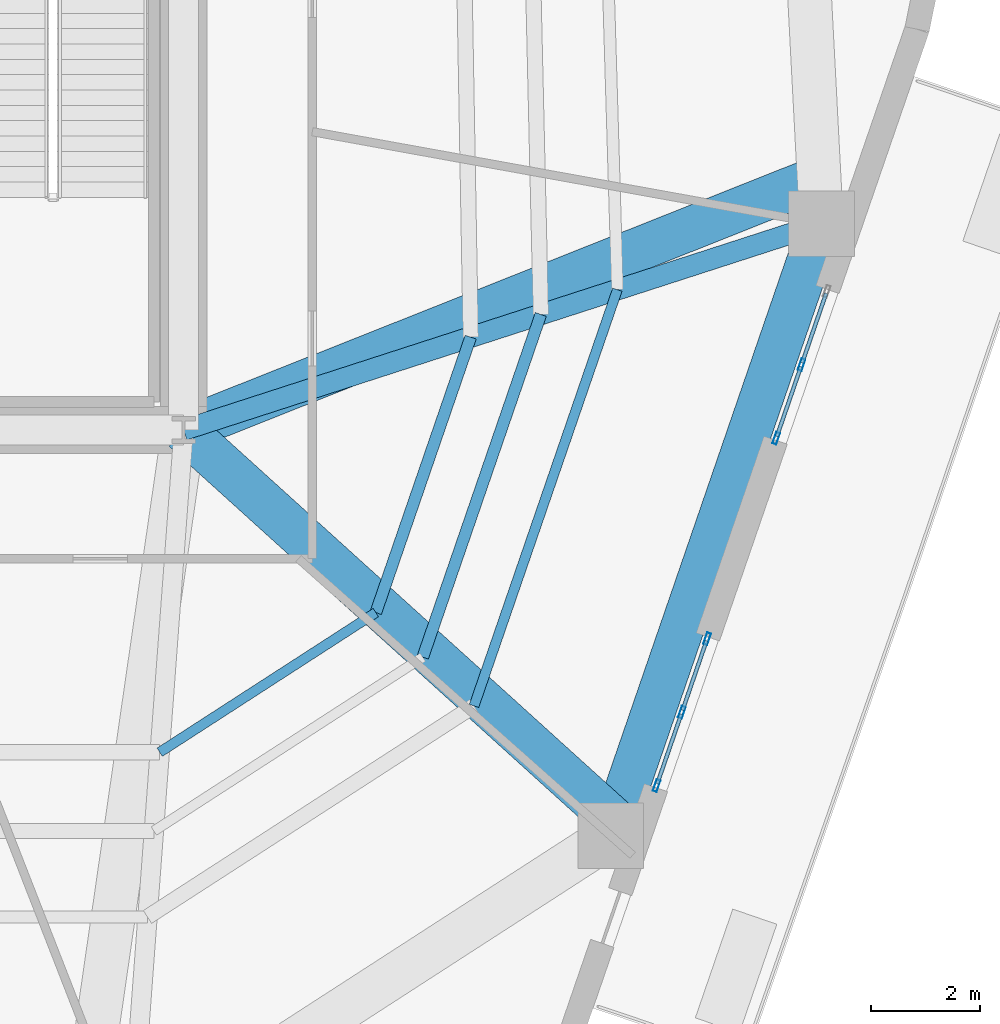
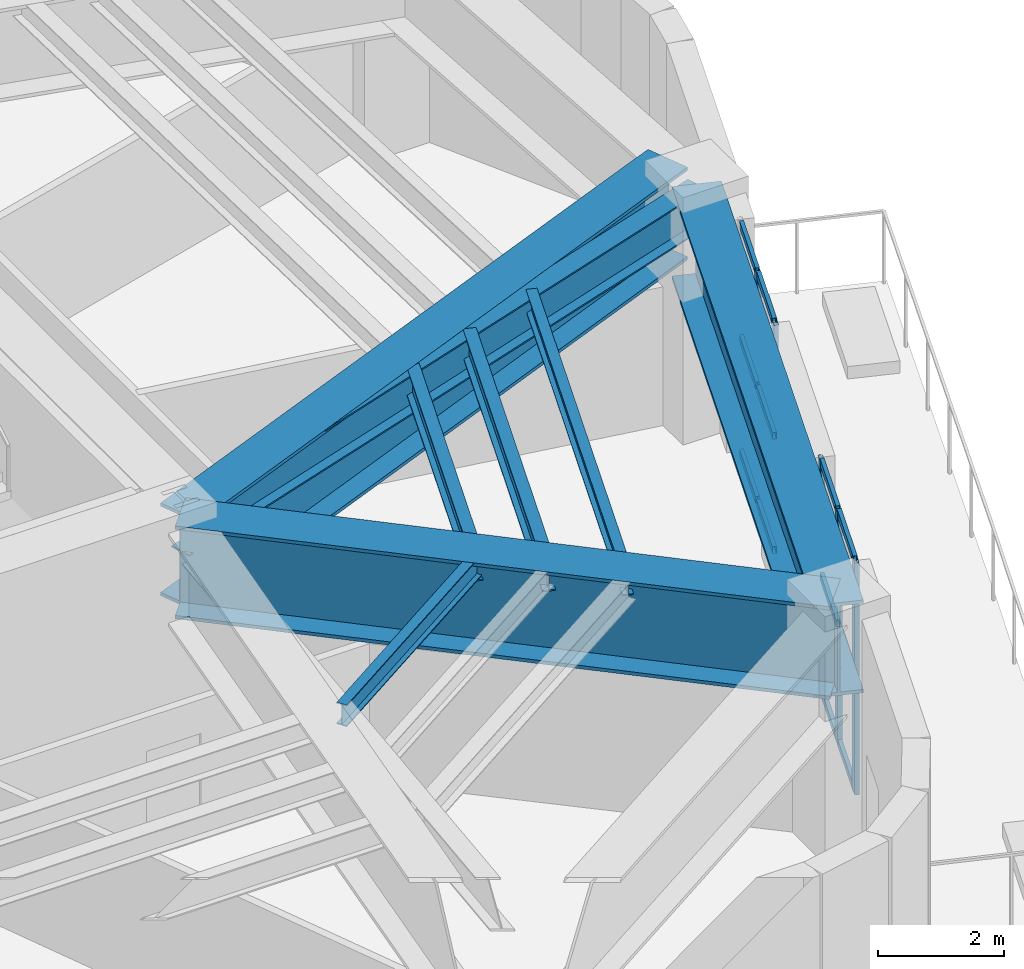
# One storey, part 8 of 22: 17 members, 8 beams, 2 elements without a shape of their own.
"""IFC4 building model written with IfcOpenShell, lengths in metres."""

from ifc_helpers import new_model, si_unit, direction, frame, origin, origin_2d, place, context, subcontext, project, spatial, hollow_rectangle, i_section, extrude, material, layer, layer_set, material_profile, profile_set, type_object, element, aggregate, save


model = new_model("IFC4")

# Units and contexts
model_context = context("Model", 3, precision=1e-05, world=origin(), true_north=direction((0.0, 1.0)))
body_context = subcontext(model_context, "Body", "Model", "MODEL_VIEW")
ifc_project = project(units=[si_unit("LENGTHUNIT", "METRE"), si_unit("AREAUNIT", "SQUARE_METRE"), si_unit("VOLUMEUNIT", "CUBIC_METRE"), si_unit("PLANEANGLEUNIT", "RADIAN"), si_unit("MASSUNIT", "GRAM", prefix="KILO")], contexts=[model_context])

# Site, building, storey
site_placement = place(None, origin())
site = spatial("IfcSite", under=ifc_project, at=site_placement, CompositionType="ELEMENT")
building_placement = place(site_placement, origin())
building = spatial("IfcBuilding", under=site, at=building_placement, Name="Kilnhurst Terrace Hotel", CompositionType="ELEMENT")
storey_placement = place(building_placement, frame((0.0, 0.0, 139.5)))
storey = spatial("IfcBuildingStorey", under=building, at=storey_placement, Name="L34", CompositionType="ELEMENT", Elevation=139.5)

# Beams
ifc_material_1 = material(Name="Steel ASTM A992 Grade 50", Category="steel")
ifc_material_profile_1 = material_profile(ifc_material_1, i_section(OverallWidth=0.380615234375, OverallDepth=0.773193359375, WebThickness=0.0166015625, FlangeThickness=0.027099609375, at=origin_2d()), Name="W30X173")
ifc_profile_set_1 = profile_set([ifc_material_profile_1], Name="Steel ASTM A992 Grade 50")
beam_type_1 = type_object("IfcBeamType", Name="BM-STL-W30X173", PredefinedType="BEAM", material=ifc_profile_set_1)
beam_1_placement = place(storey_placement, frame((9.0, -7.5, 4.113037109375), z_axis=(0.951445549065, 0.307817100182, 0.0), x_axis=(-0.307817100182, 0.951445549065, 0.0)))
element("IfcBeam", 1, at=beam_1_placement, inside=storey, type_object=beam_type_1, Name="L34 Radial Floor Beam 4", PredefinedType="BEAM", context=body_context, shape_type="SweptSolid", body=[
    extrude(i_section(OverallWidth=0.380615234375, OverallDepth=0.773193359375, WebThickness=0.0166015625, FlangeThickness=0.027099609375, at=origin_2d()), origin(), (0.0, 0.0, 1.0), 12.244384765625),
])
ifc_material_profile_2 = material_profile(ifc_material_1, i_section(OverallWidth=0.180908203125, OverallDepth=0.417236328125, WebThickness=0.010986328125, FlangeThickness=0.018310546875, at=origin_2d()), Name="W16X57")
ifc_profile_set_2 = profile_set([ifc_material_profile_2], Name="Steel ASTM A992 Grade 50")
beam_type_2 = type_object("IfcBeamType", Name="JST-STL-W16X57", PredefinedType="JOIST", material=ifc_profile_set_2)
beam_2_placement = place(storey_placement, frame((14.303955078125, -12.53955078125, 4.291015625), z_axis=(0.325612620381, 0.945503263584, 0.0), x_axis=(-0.945503263584, 0.325612620381, 0.0)))
element("IfcBeam", 2, at=beam_2_placement, inside=storey, type_object=beam_type_2, Name="L34 Secondary Floor Steel Joist OUT.3", PredefinedType="JOIST", context=body_context, shape_type="SweptSolid", body=[
    extrude(i_section(OverallWidth=0.180908203125, OverallDepth=0.417236328125, WebThickness=0.010986328125, FlangeThickness=0.018310546875, at=origin_2d()), origin(), (0.0, 0.0, 1.0), 8.040771484375),
])
beam_3_placement = place(storey_placement, frame((8.5625, -13.385986328125, 4.291015625), z_axis=(0.839884974974, 0.542764432155, 0.0), x_axis=(-0.542764432155, 0.839884974974, 0.0)))
element("IfcBeam", 3, at=beam_3_placement, inside=storey, type_object=beam_type_2, Name="L34 Secondary Floor Steel Joist IN.2", PredefinedType="JOIST", context=body_context, shape_type="SweptSolid", body=[
    extrude(i_section(OverallWidth=0.180908203125, OverallDepth=0.417236328125, WebThickness=0.010986328125, FlangeThickness=0.018310546875, at=origin_2d()), origin(), (0.0, 0.0, 1.0), 4.699951171875),
])
ifc_material_profile_3 = material_profile(ifc_material_1, i_section(OverallWidth=0.2138671875, OverallDepth=0.549072265625, WebThickness=0.0146484375, FlangeThickness=0.023681640625, at=origin_2d()), Name="W21X93")
ifc_profile_set_3 = profile_set([ifc_material_profile_3], Name="Steel ASTM A992 Grade 50")
beam_type_3 = type_object("IfcBeamType", Name="JST-STL-W21X93", PredefinedType="JOIST", material=ifc_profile_set_3)
beam_4_placement = place(storey_placement, frame((12.510009765625, -10.8349609375, 4.22509765625), z_axis=(0.325586238877, 0.945512348441, 0.0), x_axis=(-0.945512348441, 0.325586238877, 0.0)))
element("IfcBeam", 4, at=beam_4_placement, inside=storey, type_object=beam_type_3, Name="L34 Secondary Floor Steel Joist IN.3", PredefinedType="JOIST", context=body_context, shape_type="SweptSolid", body=[
    extrude(i_section(OverallWidth=0.2138671875, OverallDepth=0.549072265625, WebThickness=0.0146484375, FlangeThickness=0.023681640625, at=origin_2d()), origin(), (0.0, 0.0, 1.0), 5.321044921875),
])
beam_5_placement = place(storey_placement, frame((13.367919921875, -11.650146484375, 4.22509765625), z_axis=(0.32560318288, 0.94550651362, 0.0), x_axis=(-0.94550651362, 0.32560318288, 0.0)))
element("IfcBeam", 5, at=beam_5_placement, inside=storey, type_object=beam_type_3, Name="L34 Secondary Floor Steel Joist MID.3", PredefinedType="JOIST", context=body_context, shape_type="SweptSolid", body=[
    extrude(i_section(OverallWidth=0.2138671875, OverallDepth=0.549072265625, WebThickness=0.0146484375, FlangeThickness=0.023681640625, at=origin_2d()), origin(), (0.0, 0.0, 1.0), 6.62158203125),
])

# Curtain wall, members
ifc_material_2 = material(Name="Anodized Aluminium Alloy 6063-T6 and Low-E Glass", Category="aluminium")
ifc_layer = layer(ifc_material_2, 0.219970703125, Name="Anodized Aluminium Alloy 6063-T6 and Low-E Glass")
ifc_layer_set = layer_set([ifc_layer], Name="Anodized Aluminium Alloy 6063-T6 and Low-E Glass")
curtain_wall_type = type_object("IfcCurtainWallType", Name="CW-SKY-L34", PredefinedType="NOTDEFINED", material=ifc_layer_set)
curtain_wall_1_placement = place(storey_placement, origin())
curtain_wall_1 = element("IfcCurtainWall", 6, at=curtain_wall_1_placement, inside=storey, type_object=curtain_wall_type, Name="L34 Curtain Wall CW-L34-F2-1", PredefinedType="NOTDEFINED")
ifc_material_3 = material(Name="Extruded Aluminium Alloy 6063-T6", Category="aluminium")
ifc_material_profile_4 = material_profile(ifc_material_3, hollow_rectangle(XDim=0.074951171875, YDim=0.219970703125, WallThickness=0.00390625, at=origin_2d()), Name="CWM75X220")
ifc_profile_set_4 = profile_set([ifc_material_profile_4], Name="Extruded Aluminium Alloy 6063-T6")
member_type_1 = type_object("IfcMemberType", Name="MEM-CWM75X220", PredefinedType="MULLION", material=ifc_profile_set_4)
member_1_placement = place(storey_placement, frame((17.638671875, -13.996826171875, 0.0), z_axis=(0.0, 0.0, 1.0), x_axis=(-0.94551193854, 0.32558742924, 0.0)))
member_1 = element("IfcMember", 7, at=member_1_placement, type_object=member_type_1, Name="CWS-3 mullion 1", PredefinedType="MULLION", context=body_context, shape_type="SweptSolid", body=[
    extrude(hollow_rectangle(XDim=0.074951171875, YDim=0.219970703125, WallThickness=0.00390625, at=origin_2d()), origin(), (0.0, 0.0, 1.0), 4.5),
])
member_2_placement = place(storey_placement, frame((18.100341796875, -12.65576171875, 0.0), z_axis=(0.0, 0.0, 1.0), x_axis=(-0.94551193854, 0.32558742924, 0.0)))
member_2 = element("IfcMember", 8, at=member_2_placement, type_object=member_type_1, Name="CWS-3 mullion 2", PredefinedType="MULLION", context=body_context, shape_type="SweptSolid", body=[
    extrude(hollow_rectangle(XDim=0.074951171875, YDim=0.219970703125, WallThickness=0.00390625, at=origin_2d()), origin(), (0.0, 0.0, 1.0), 4.5),
])
member_3_placement = place(storey_placement, frame((18.562255859375, -11.314453125, 0.0), z_axis=(0.0, 0.0, 1.0), x_axis=(-0.94551193854, 0.32558742924, 0.0)))
member_3 = element("IfcMember", 9, at=member_3_placement, type_object=member_type_1, Name="CWS-3 mullion 3", PredefinedType="MULLION", context=body_context, shape_type="SweptSolid", body=[
    extrude(hollow_rectangle(XDim=0.074951171875, YDim=0.219970703125, WallThickness=0.00390625, at=origin_2d()), origin(), (0.0, 0.0, 1.0), 4.5),
])

curtain_wall_2_placement = place(storey_placement, origin())
curtain_wall_2 = element("IfcCurtainWall", 10, at=curtain_wall_2_placement, inside=storey, type_object=curtain_wall_type, Name="L34 Curtain Wall CW-L34-F2-2", PredefinedType="NOTDEFINED")
member_4_placement = place(storey_placement, frame((19.823974609375, -7.650634765625, 0.0), z_axis=(0.0, 0.0, 1.0), x_axis=(-0.94551193854, 0.32558742924, 0.0)))
member_4 = element("IfcMember", 11, at=member_4_placement, type_object=member_type_1, Name="CWS-3 mullion 1", PredefinedType="MULLION", context=body_context, shape_type="SweptSolid", body=[
    extrude(hollow_rectangle(XDim=0.074951171875, YDim=0.219970703125, WallThickness=0.00390625, at=origin_2d()), origin(), (0.0, 0.0, 1.0), 4.5),
])
member_5_placement = place(storey_placement, frame((20.285888671875, -6.3095703125, 0.0), z_axis=(0.0, 0.0, 1.0), x_axis=(-0.94551193854, 0.32558742924, 0.0)))
member_5 = element("IfcMember", 12, at=member_5_placement, type_object=member_type_1, Name="CWS-3 mullion 2", PredefinedType="MULLION", context=body_context, shape_type="SweptSolid", body=[
    extrude(hollow_rectangle(XDim=0.074951171875, YDim=0.219970703125, WallThickness=0.00390625, at=origin_2d()), origin(), (0.0, 0.0, 1.0), 4.5),
])

# Member
ifc_material_profile_5 = material_profile(ifc_material_3, hollow_rectangle(XDim=0.070068359375, YDim=0.135009765625, WallThickness=0.00390625, at=origin_2d()), Name="CWT70X135")
ifc_profile_set_5 = profile_set([ifc_material_profile_5], Name="Extruded Aluminium Alloy 6063-T6")
member_type_2 = type_object("IfcMemberType", Name="MEM-CWT70X135", PredefinedType="USERDEFINED", material=ifc_profile_set_5)
member_6_placement = place(storey_placement, frame((17.65087890625, -13.96142578125, 0.034912109375), z_axis=(0.325480976836, 0.945548588766, 0.0), x_axis=(-0.945548588766, 0.325480976836, 0.0)))
member_6 = element("IfcMember", 13, at=member_6_placement, type_object=member_type_2, Name="CWS-3 transom 1.1", ObjectType="TRANSOM", PredefinedType="USERDEFINED", context=body_context, shape_type="SweptSolid", body=[
    extrude(hollow_rectangle(XDim=0.070068359375, YDim=0.135009765625, WallThickness=0.00390625, at=origin_2d()), origin(), (0.0, 0.0, 1.0), 1.343505859375),
])

member_7_placement = place(storey_placement, frame((17.65087890625, -13.96142578125, 2.25), z_axis=(0.325480976836, 0.945548588766, 0.0), x_axis=(-0.945548588766, 0.325480976836, 0.0)))
member_7 = element("IfcMember", 14, at=member_7_placement, type_object=member_type_2, Name="CWS-3 transom 1.2", ObjectType="TRANSOM", PredefinedType="USERDEFINED", context=body_context, shape_type="SweptSolid", body=[
    extrude(hollow_rectangle(XDim=0.070068359375, YDim=0.135009765625, WallThickness=0.00390625, at=origin_2d()), origin(), (0.0, 0.0, 1.0), 1.343505859375),
])

member_8_placement = place(storey_placement, frame((17.65087890625, -13.96142578125, 4.465087890625), z_axis=(0.325480976836, 0.945548588766, 0.0), x_axis=(-0.945548588766, 0.325480976836, 0.0)))
member_8 = element("IfcMember", 15, at=member_8_placement, type_object=member_type_2, Name="CWS-3 transom 1.3", ObjectType="TRANSOM", PredefinedType="USERDEFINED", context=body_context, shape_type="SweptSolid", body=[
    extrude(hollow_rectangle(XDim=0.070068359375, YDim=0.135009765625, WallThickness=0.00390625, at=origin_2d()), origin(), (0.0, 0.0, 1.0), 1.343505859375),
])

member_9_placement = place(storey_placement, frame((18.112548828125, -12.6201171875, 0.034912109375), z_axis=(0.325643441602, 0.945492648804, 0.0), x_axis=(-0.945492648804, 0.325643441602, 0.0)))
member_9 = element("IfcMember", 16, at=member_9_placement, type_object=member_type_2, Name="CWS-3 transom 2.1", ObjectType="TRANSOM", PredefinedType="USERDEFINED", context=body_context, shape_type="SweptSolid", body=[
    extrude(hollow_rectangle(XDim=0.070068359375, YDim=0.135009765625, WallThickness=0.00390625, at=origin_2d()), origin(), (0.0, 0.0, 1.0), 1.343505859375),
])

member_10_placement = place(storey_placement, frame((18.112548828125, -12.6201171875, 2.25), z_axis=(0.325643441602, 0.945492648804, 0.0), x_axis=(-0.945492648804, 0.325643441602, 0.0)))
member_10 = element("IfcMember", 17, at=member_10_placement, type_object=member_type_2, Name="CWS-3 transom 2.2", ObjectType="TRANSOM", PredefinedType="USERDEFINED", context=body_context, shape_type="SweptSolid", body=[
    extrude(hollow_rectangle(XDim=0.070068359375, YDim=0.135009765625, WallThickness=0.00390625, at=origin_2d()), origin(), (0.0, 0.0, 1.0), 1.343505859375),
])

member_11_placement = place(storey_placement, frame((18.112548828125, -12.6201171875, 4.465087890625), z_axis=(0.325643441602, 0.945492648804, 0.0), x_axis=(-0.945492648804, 0.325643441602, 0.0)))
member_11 = element("IfcMember", 18, at=member_11_placement, type_object=member_type_2, Name="CWS-3 transom 2.3", ObjectType="TRANSOM", PredefinedType="USERDEFINED", context=body_context, shape_type="SweptSolid", body=[
    extrude(hollow_rectangle(XDim=0.070068359375, YDim=0.135009765625, WallThickness=0.00390625, at=origin_2d()), origin(), (0.0, 0.0, 1.0), 1.343505859375),
])

aggregate(curtain_wall_1, [member_1, member_2, member_3, member_6, member_7, member_8, member_9, member_10, member_11])

member_12_placement = place(storey_placement, frame((19.836181640625, -7.615234375, 0.034912109375), z_axis=(0.325643441602, 0.945492648804, 0.0), x_axis=(-0.945492648804, 0.325643441602, 0.0)))
member_12 = element("IfcMember", 19, at=member_12_placement, type_object=member_type_2, Name="CWS-3 transom 1.1", ObjectType="TRANSOM", PredefinedType="USERDEFINED", context=body_context, shape_type="SweptSolid", body=[
    extrude(hollow_rectangle(XDim=0.070068359375, YDim=0.135009765625, WallThickness=0.00390625, at=origin_2d()), origin(), (0.0, 0.0, 1.0), 1.343505859375),
])

member_13_placement = place(storey_placement, frame((19.836181640625, -7.615234375, 2.25), z_axis=(0.325643441602, 0.945492648804, 0.0), x_axis=(-0.945492648804, 0.325643441602, 0.0)))
member_13 = element("IfcMember", 20, at=member_13_placement, type_object=member_type_2, Name="CWS-3 transom 1.2", ObjectType="TRANSOM", PredefinedType="USERDEFINED", context=body_context, shape_type="SweptSolid", body=[
    extrude(hollow_rectangle(XDim=0.070068359375, YDim=0.135009765625, WallThickness=0.00390625, at=origin_2d()), origin(), (0.0, 0.0, 1.0), 1.343505859375),
])

member_14_placement = place(storey_placement, frame((19.836181640625, -7.615234375, 4.465087890625), z_axis=(0.325643441602, 0.945492648804, 0.0), x_axis=(-0.945492648804, 0.325643441602, 0.0)))
member_14 = element("IfcMember", 21, at=member_14_placement, type_object=member_type_2, Name="CWS-3 transom 1.3", ObjectType="TRANSOM", PredefinedType="USERDEFINED", context=body_context, shape_type="SweptSolid", body=[
    extrude(hollow_rectangle(XDim=0.070068359375, YDim=0.135009765625, WallThickness=0.00390625, at=origin_2d()), origin(), (0.0, 0.0, 1.0), 1.343505859375),
])

member_15_placement = place(storey_placement, frame((20.298095703125, -6.27392578125, 0.034912109375), z_axis=(0.325643441602, 0.945492648804, 0.0), x_axis=(-0.945492648804, 0.325643441602, 0.0)))
member_15 = element("IfcMember", 22, at=member_15_placement, type_object=member_type_2, Name="CWS-3 transom 2.1", ObjectType="TRANSOM", PredefinedType="USERDEFINED", context=body_context, shape_type="SweptSolid", body=[
    extrude(hollow_rectangle(XDim=0.070068359375, YDim=0.135009765625, WallThickness=0.00390625, at=origin_2d()), origin(), (0.0, 0.0, 1.0), 1.343505859375),
])

member_16_placement = place(storey_placement, frame((20.298095703125, -6.27392578125, 2.25), z_axis=(0.325643441602, 0.945492648804, 0.0), x_axis=(-0.945492648804, 0.325643441602, 0.0)))
member_16 = element("IfcMember", 23, at=member_16_placement, type_object=member_type_2, Name="CWS-3 transom 2.2", ObjectType="TRANSOM", PredefinedType="USERDEFINED", context=body_context, shape_type="SweptSolid", body=[
    extrude(hollow_rectangle(XDim=0.070068359375, YDim=0.135009765625, WallThickness=0.00390625, at=origin_2d()), origin(), (0.0, 0.0, 1.0), 1.343505859375),
])

member_17_placement = place(storey_placement, frame((20.298095703125, -6.27392578125, 4.465087890625), z_axis=(0.325643441602, 0.945492648804, 0.0), x_axis=(-0.945492648804, 0.325643441602, 0.0)))
member_17 = element("IfcMember", 24, at=member_17_placement, type_object=member_type_2, Name="CWS-3 transom 2.3", ObjectType="TRANSOM", PredefinedType="USERDEFINED", context=body_context, shape_type="SweptSolid", body=[
    extrude(hollow_rectangle(XDim=0.070068359375, YDim=0.135009765625, WallThickness=0.00390625, at=origin_2d()), origin(), (0.0, 0.0, 1.0), 1.343505859375),
])

aggregate(curtain_wall_2, [member_4, member_5, member_12, member_13, member_14, member_15, member_16, member_17])

# Beams
ifc_material_4 = material(Name="Steel ASTM A572 Grade 50", Category="steel")
ifc_material_profile_6 = material_profile(ifc_material_4, i_section(OverallWidth=0.800048828125, OverallDepth=1.800048828125, WebThickness=0.0400390625, FlangeThickness=0.06494140625, at=origin_2d()), Name="PG1800X800")
ifc_profile_set_6 = profile_set([ifc_material_profile_6], Name="Steel ASTM A572 Grade 50")
beam_type_4 = type_object("IfcBeamType", Name="TG-STEP-1800", PredefinedType="USERDEFINED", material=ifc_profile_set_6)
beam_6_placement = place(storey_placement, frame((16.800048828125, -14.910888671875, 3.60009765625), z_axis=(0.325590408593, 0.945510912593, 0.0), x_axis=(-0.945510912593, 0.325590408593, 0.0)))
element("IfcBeam", 25, at=beam_6_placement, inside=storey, type_object=beam_type_4, Name="L34 Zone Step Perimeter Transfer Girder 3", ObjectType="GIRDER", PredefinedType="USERDEFINED", context=body_context, shape_type="SweptSolid", body=[
    extrude(i_section(OverallWidth=0.800048828125, OverallDepth=1.800048828125, WebThickness=0.0400390625, FlangeThickness=0.06494140625, at=origin_2d()), origin(), (0.0, 0.0, 1.0), 11.82421875),
])
beam_7_placement = place(storey_placement, frame((9.0, -7.5, 3.60009765625), z_axis=(0.741324930936, -0.671146293123, 0.0), x_axis=(0.671146293123, 0.741324930936, 0.0)))
element("IfcBeam", 26, at=beam_7_placement, inside=storey, type_object=beam_type_4, Name="L34 Zone Step Radial Transfer Girder 3", ObjectType="GIRDER", PredefinedType="USERDEFINED", context=body_context, shape_type="SweptSolid", body=[
    extrude(i_section(OverallWidth=0.800048828125, OverallDepth=1.800048828125, WebThickness=0.0400390625, FlangeThickness=0.06494140625, at=origin_2d()), origin(), (0.0, 0.0, 1.0), 10.645263671875),
])
beam_8_placement = place(storey_placement, frame((9.0, -7.5, 3.60009765625), z_axis=(0.929302184763, 0.369320253161, 0.0), x_axis=(-0.369320253161, 0.929302184763, 0.0)))
element("IfcBeam", 27, at=beam_8_placement, inside=storey, type_object=beam_type_4, Name="L34 Zone Step Radial Transfer Girder 4", ObjectType="GIRDER", PredefinedType="USERDEFINED", context=body_context, shape_type="SweptSolid", body=[
    extrude(i_section(OverallWidth=0.800048828125, OverallDepth=1.800048828125, WebThickness=0.0400390625, FlangeThickness=0.06494140625, at=origin_2d()), origin(), (0.0, 0.0, 1.0), 12.488525390625),
])

save(model, "model.ifc")
